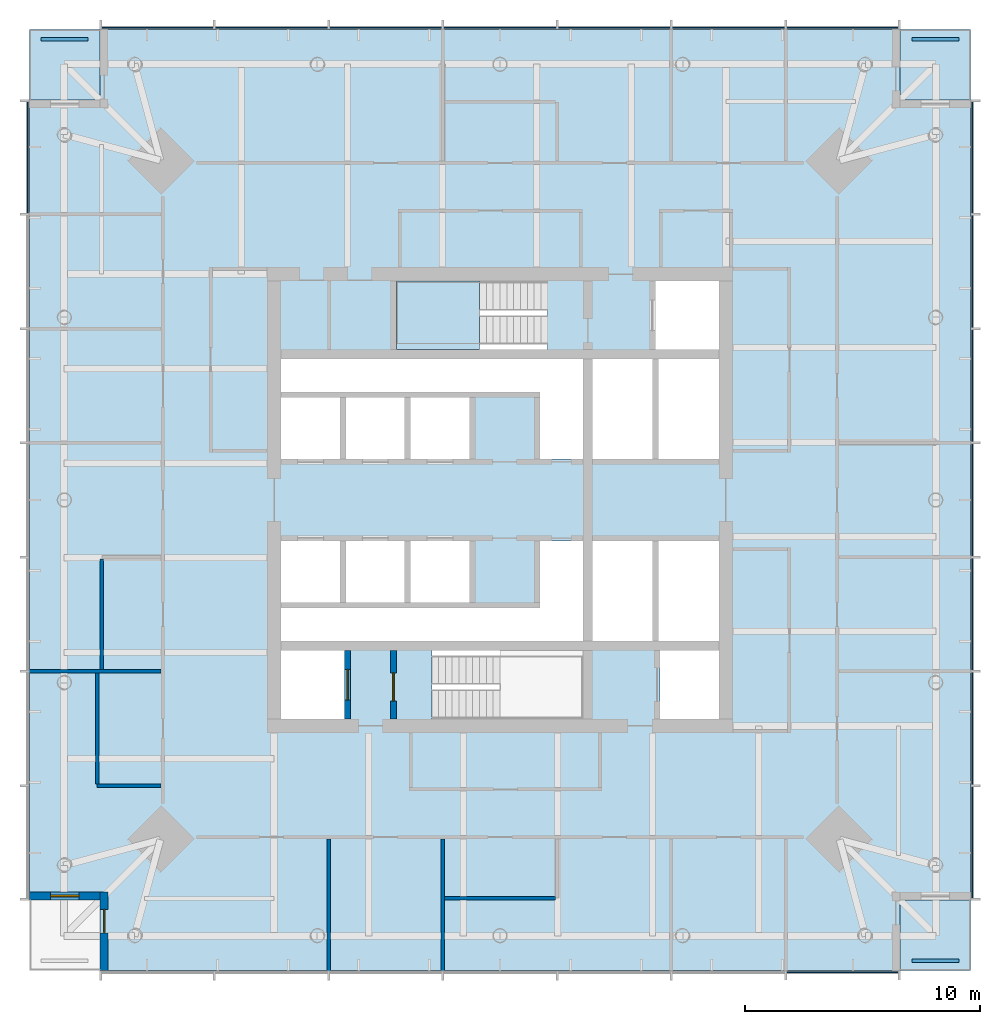
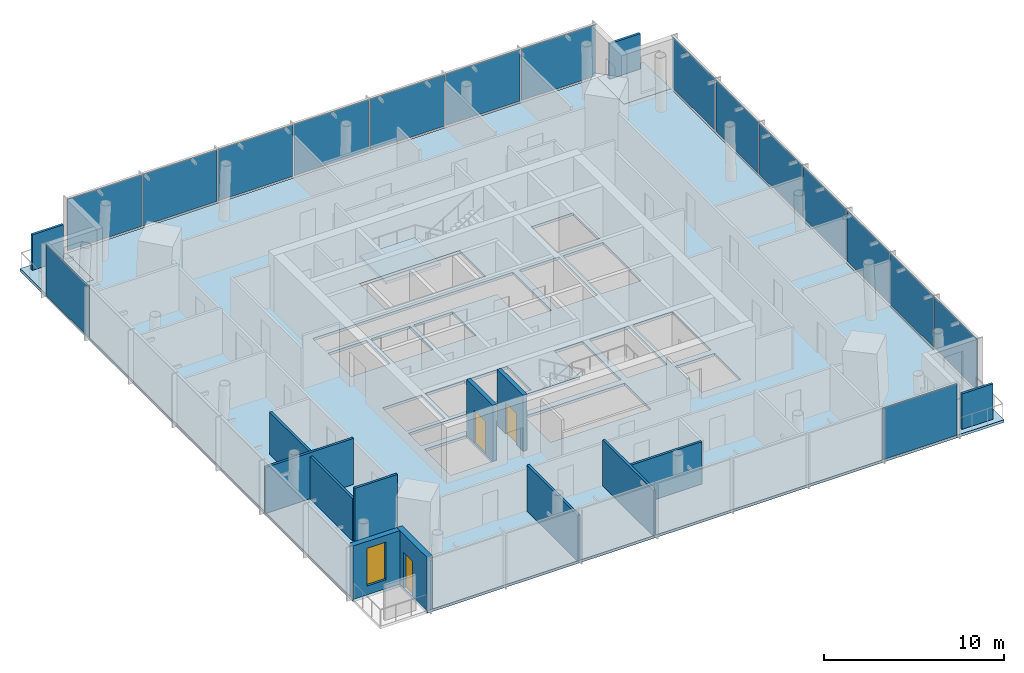
# One storey, part 4 of 9: 19 plates, 11 walls, 5 slabs, 3 doors, 1 window, 4 openings, 5 elements without a shape of their own.
"""IFC4 building model written with IfcOpenShell, lengths in metres."""

from ifc_helpers import new_model, si_unit, direction, frame, frame_2d, origin, origin_2d, place, context, subcontext, project, spatial, polyline, rectangle, outline, extrude, material, layer, layer_set, type_object, element, fill, aggregate, save


model = new_model("IFC4")

# Units and contexts
model_context = context("Model", 3, precision=1e-05, world=origin(), true_north=direction((0.0, 1.0)))
body_context = subcontext(model_context, "Body", "Model", "MODEL_VIEW")
ifc_project = project(units=[si_unit("LENGTHUNIT", "METRE"), si_unit("AREAUNIT", "SQUARE_METRE"), si_unit("VOLUMEUNIT", "CUBIC_METRE"), si_unit("PLANEANGLEUNIT", "RADIAN"), si_unit("MASSUNIT", "GRAM", prefix="KILO")], contexts=[model_context])

# Site, building, storey
site_placement = place(None, origin())
site = spatial("IfcSite", under=ifc_project, at=site_placement, CompositionType="ELEMENT")
building_placement = place(site_placement, origin())
building = spatial("IfcBuilding", under=site, at=building_placement, Name="Ostroluk Exchange", CompositionType="ELEMENT")
storey_placement = place(building_placement, frame((0.0, 0.0, 192.0)))
storey = spatial("IfcBuildingStorey", under=building, at=storey_placement, Name="L49", CompositionType="ELEMENT", Elevation=192.0)

# Slabs
ifc_material_1 = material(Name="Concrete C35/45", Category="concrete")
ifc_layer_1 = layer(ifc_material_1, 0.179931640625)
ifc_layer_set_1 = layer_set([ifc_layer_1], Name="Balcony slab 180")
slab_type_1 = type_object("IfcSlabType", Name="Balcony slab 180", PredefinedType="USERDEFINED", material=ifc_layer_set_1)
slab_1_placement = place(storey_placement, frame((0.0, 0.0, -0.179931640625)))
element("IfcSlab", 1, at=slab_1_placement, inside=storey, type_object=slab_type_1, Name="Office tower SE corner balcony L49", ObjectType="BALCONY", PredefinedType="USERDEFINED", context=body_context, shape_type="SweptSolid", body=[
    extrude(outline(polyline([(62.0, 26.0), (65.0, 26.0), (65.0, 29.0), (62.0, 29.0), (62.0, 26.0)])), origin(), (0.0, 0.0, 1.0), 0.179931640625),
])
slab_2_placement = place(storey_placement, frame((0.0, 0.0, -0.179931640625)))
element("IfcSlab", 2, at=slab_2_placement, inside=storey, type_object=slab_type_1, Name="Office tower NE corner balcony L49", ObjectType="BALCONY", PredefinedType="USERDEFINED", context=body_context, shape_type="SweptSolid", body=[
    extrude(outline(polyline([(62.0, 63.0), (65.0, 63.0), (65.0, 66.0), (62.0, 66.0), (62.0, 63.0)])), origin(), (0.0, 0.0, 1.0), 0.179931640625),
])
slab_3_placement = place(storey_placement, frame((0.0, 0.0, -0.179931640625)))
element("IfcSlab", 3, at=slab_3_placement, inside=storey, type_object=slab_type_1, Name="Office tower NW corner balcony L49", ObjectType="BALCONY", PredefinedType="USERDEFINED", context=body_context, shape_type="SweptSolid", body=[
    extrude(outline(polyline([(25.0, 63.0), (28.0, 63.0), (28.0, 66.0), (25.0, 66.0), (25.0, 63.0)])), origin(), (0.0, 0.0, 1.0), 0.179931640625),
])

# Plates
ifc_material_2 = material(Name="Steel S355 trellis with planting", Category="steel")
ifc_layer_2 = layer(ifc_material_2, 0.14990234375)
ifc_layer_set_2 = layer_set([ifc_layer_2], Name="Planted screen 150")
plate_type_1 = type_object("IfcPlateType", Name="Planted screen 150", PredefinedType="USERDEFINED", material=ifc_layer_set_2)
for number, where, z_axis, x_axis, name in (
    (4, (63.5, 26.425048828125, 0.0), (0.0, 0.0, 1.0), (1.0, 0.0, 0.0), "Office tower SE planted screen L49"),
    (5, (63.5, 65.574951171875, 0.0), (0.0, 0.0, 1.0), (1.0, 0.0, 0.0), "Office tower NE planted screen L49"),
    (6, (26.5, 65.574951171875, 0.0), (0.0, 0.0, 1.0), (1.0, 0.0, 0.0), "Office tower NW planted screen L49"),
):
    element("IfcPlate", number, at=place(storey_placement, frame(where, z_axis=z_axis, x_axis=x_axis)), inside=storey, type_object=plate_type_1, Name=name, ObjectType="PLANTED SCREEN", PredefinedType="USERDEFINED", context=body_context, shape_type="SweptSolid", body=[
        extrude(rectangle(XDim=2.0, YDim=0.14990234375, at=origin_2d()), origin(), (0.0, 0.0, 1.0), 2.39990234375),
    ])

# Stair, slab
ifc_material_3 = material(Name="Concrete C30/37", Category="concrete")
stair_type = type_object("IfcStairType", Name="Exit stair half turn 3800", PredefinedType="HALF_TURN_STAIR", material=ifc_material_3)
stair_placement = place(storey_placement, origin())
stair = element("IfcStair", 7, at=stair_placement, inside=storey, type_object=stair_type, Name="Stair T1-S2 L49", PredefinedType="HALF_TURN_STAIR")
ifc_material_4 = material(Name="Concrete C30/37", Category="concrete")
ifc_layer_3 = layer(ifc_material_4, 0.199951171875)
ifc_layer_set_3 = layer_set([ifc_layer_3], Name="Stair landing 200")
slab_type_2 = type_object("IfcSlabType", Name="Stair landing 200", PredefinedType="LANDING", material=ifc_layer_set_3)
slab_4_placement = place(storey_placement, frame((0.0, 0.0, 1.699951171875)))
slab_4 = element("IfcSlab", 8, at=slab_4_placement, type_object=slab_type_2, Name="T1-S2 landing 1", PredefinedType="LANDING", context=body_context, shape_type="SweptSolid", body=[
    extrude(outline(polyline([(44.1298828125, 52.39990234375), (44.1298828125, 55.300048828125), (40.60009765625, 55.300048828125), (40.60009765625, 52.39990234375), (44.1298828125, 52.39990234375)])), origin(), (0.0, 0.0, 1.0), 0.199951171875),
])
aggregate(stair, [slab_4])

# Slab
ifc_material_5 = material(Name="Concrete C35/45", Category="concrete")
ifc_layer_4 = layer(ifc_material_5, 0.179931640625)
ifc_layer_set_4 = layer_set([ifc_layer_4], Name="Tower floor slab 180 composite")
slab_type_3 = type_object("IfcSlabType", Name="Tower floor slab 180 composite", PredefinedType="FLOOR", material=ifc_layer_set_4)
slab_5_placement = place(storey_placement, frame((0.0, 0.0, -0.179931640625)))
element("IfcSlab", 9, at=slab_5_placement, inside=storey, type_object=slab_type_3, Name="Office tower floor slab L49", PredefinedType="FLOOR", context=body_context, shape_type="SweptSolid", body=[
    extrude(outline(polyline([(28.0, 26.0), (62.0, 26.0), (62.0, 29.0), (65.0, 29.0), (65.0, 63.0), (62.0, 63.0), (62.0, 66.0), (28.0, 66.0), (28.0, 63.0), (25.0, 63.0), (25.0, 29.0), (28.0, 29.0), (28.0, 26.0)]), holes=[polyline([(35.699951171875, 36.699951171875), (38.39990234375, 36.699951171875), (38.39990234375, 39.60009765625), (35.699951171875, 39.60009765625), (35.699951171875, 36.699951171875)]), polyline([(42.110107421875, 36.699951171875), (48.530029296875, 36.699951171875), (48.530029296875, 39.60009765625), (42.110107421875, 39.60009765625), (42.110107421875, 36.699951171875)]), polyline([(51.800048828125, 36.699951171875), (54.300048828125, 36.699951171875), (54.300048828125, 39.60009765625), (51.800048828125, 39.60009765625), (51.800048828125, 36.699951171875)]), polyline([(40.60009765625, 52.39990234375), (47.02001953125, 52.39990234375), (47.02001953125, 55.300048828125), (40.60009765625, 55.300048828125), (40.60009765625, 52.39990234375)]), polyline([(51.60009765625, 52.39990234375), (54.300048828125, 52.39990234375), (54.300048828125, 55.300048828125), (51.60009765625, 55.300048828125), (51.60009765625, 52.39990234375)]), polyline([(35.699951171875, 47.75), (38.199951171875, 47.75), (38.199951171875, 50.35009765625), (35.699951171875, 50.35009765625), (35.699951171875, 47.75)]), polyline([(38.449951171875, 47.75), (40.949951171875, 47.75), (40.949951171875, 50.35009765625), (38.449951171875, 50.35009765625), (38.449951171875, 47.75)]), polyline([(41.199951171875, 47.75), (43.699951171875, 47.75), (43.699951171875, 50.35009765625), (41.199951171875, 50.35009765625), (41.199951171875, 47.75)]), polyline([(35.699951171875, 41.64990234375), (38.199951171875, 41.64990234375), (38.199951171875, 44.25), (35.699951171875, 44.25), (35.699951171875, 41.64990234375)]), polyline([(38.449951171875, 41.64990234375), (40.949951171875, 41.64990234375), (40.949951171875, 44.25), (38.449951171875, 44.25), (38.449951171875, 41.64990234375)]), polyline([(41.199951171875, 41.64990234375), (43.699951171875, 41.64990234375), (43.699951171875, 44.25), (41.199951171875, 44.25), (41.199951171875, 41.64990234375)]), polyline([(48.929931640625, 47.75), (51.489990234375, 47.75), (51.489990234375, 52.0), (48.929931640625, 52.0), (48.929931640625, 47.75)]), polyline([(51.739990234375, 47.75), (54.300048828125, 47.75), (54.300048828125, 52.0), (51.739990234375, 52.0), (51.739990234375, 47.75)]), polyline([(48.929931640625, 40.0), (51.489990234375, 40.0), (51.489990234375, 44.25), (48.929931640625, 44.25), (48.929931640625, 40.0)]), polyline([(51.739990234375, 40.0), (54.300048828125, 40.0), (54.300048828125, 44.25), (51.739990234375, 44.25), (51.739990234375, 40.0)]), polyline([(48.530029296875, 52.0), (48.530029296875, 47.75), (46.699951171875, 47.75), (46.699951171875, 50.60009765625), (35.699951171875, 50.60009765625), (35.699951171875, 52.0), (48.530029296875, 52.0)]), polyline([(35.699951171875, 40.0), (35.699951171875, 41.39990234375), (46.699951171875, 41.39990234375), (46.699951171875, 44.25), (48.530029296875, 44.25), (48.530029296875, 40.0), (35.699951171875, 40.0)])]), origin(), (0.0, 0.0, 1.0), 0.179931640625),
])

# Curtain wall, plate
ifc_material_6 = material(Name="Laminated clear glass", Category="glass")
curtain_wall_type = type_object("IfcCurtainWallType", Name="Office tower facade", PredefinedType="USERDEFINED", material=ifc_material_6)
curtain_wall_1_placement = place(storey_placement, origin())
curtain_wall_1 = element("IfcCurtainWall", 10, at=curtain_wall_1_placement, inside=storey, type_object=curtain_wall_type, Name="Office tower south facade L49", ObjectType="UNITISED CURTAIN WALL", PredefinedType="USERDEFINED")
ifc_material_7 = material(Name="Laminated clear glass", Category="glass")
ifc_layer_5 = layer(ifc_material_7, 0.0439453125)
ifc_layer_set_5 = layer_set([ifc_layer_5], Name="Triple laminated clear glazing 44")
plate_type_2 = type_object("IfcPlateType", Name="Triple laminated clear glazing 44", PredefinedType="CURTAIN_PANEL", material=ifc_layer_set_5)
plate_1_placement = place(storey_placement, frame((59.551513671875, 25.925048828125, 0.080078125), z_axis=(0.0, 0.0, 1.0), x_axis=(1.0, 0.0, 0.0)))
plate_1 = element("IfcPlate", 11, at=plate_1_placement, type_object=plate_type_2, Name="CW-O1 panel 7.1", PredefinedType="CURTAIN_PANEL", context=body_context, shape_type="SweptSolid", body=[
    extrude(rectangle(XDim=4.737060546875, YDim=0.0439453125, at=origin_2d()), origin(), (0.0, 0.0, 1.0), 3.489990234375),
])
aggregate(curtain_wall_1, [plate_1])

# Curtain wall, plates
curtain_wall_2_placement = place(storey_placement, origin())
curtain_wall_2 = element("IfcCurtainWall", 12, at=curtain_wall_2_placement, inside=storey, type_object=curtain_wall_type, Name="Office tower east facade L49", ObjectType="UNITISED CURTAIN WALL", PredefinedType="USERDEFINED")
plate_2_placement = place(storey_placement, frame((65.074951171875, 31.448486328125, 0.080078125), z_axis=(0.0, 0.0, 1.0), x_axis=(0.0, 1.0, 0.0)))
plate_2 = element("IfcPlate", 13, at=plate_2_placement, type_object=plate_type_2, Name="CW-O1 panel 1.1", PredefinedType="CURTAIN_PANEL", context=body_context, shape_type="SweptSolid", body=[
    extrude(rectangle(XDim=4.737060546875, YDim=0.0439453125, at=origin_2d()), origin(), (0.0, 0.0, 1.0), 3.489990234375),
])
plate_3_placement = place(storey_placement, frame((65.074951171875, 36.28564453125, 0.080078125), z_axis=(0.0, 0.0, 1.0), x_axis=(0.0, 1.0, 0.0)))
plate_3 = element("IfcPlate", 14, at=plate_3_placement, type_object=plate_type_2, Name="CW-O1 panel 2.1", PredefinedType="CURTAIN_PANEL", context=body_context, shape_type="SweptSolid", body=[
    extrude(rectangle(XDim=4.777099609375, YDim=0.0439453125, at=origin_2d()), origin(), (0.0, 0.0, 1.0), 3.489990234375),
])
plate_4_placement = place(storey_placement, frame((65.074951171875, 41.142822265625, 0.080078125), z_axis=(0.0, 0.0, 1.0), x_axis=(0.0, 1.0, 0.0)))
plate_4 = element("IfcPlate", 15, at=plate_4_placement, type_object=plate_type_2, Name="CW-O1 panel 3.1", PredefinedType="CURTAIN_PANEL", context=body_context, shape_type="SweptSolid", body=[
    extrude(rectangle(XDim=4.777099609375, YDim=0.0439453125, at=origin_2d()), origin(), (0.0, 0.0, 1.0), 3.489990234375),
])
plate_5_placement = place(storey_placement, frame((65.074951171875, 46.0, 0.080078125), z_axis=(0.0, 0.0, 1.0), x_axis=(0.0, 1.0, 0.0)))
plate_5 = element("IfcPlate", 16, at=plate_5_placement, type_object=plate_type_2, Name="CW-O1 panel 4.1", PredefinedType="CURTAIN_PANEL", context=body_context, shape_type="SweptSolid", body=[
    extrude(rectangle(XDim=4.777099609375, YDim=0.0439453125, at=origin_2d()), origin(), (0.0, 0.0, 1.0), 3.489990234375),
])
plate_6_placement = place(storey_placement, frame((65.074951171875, 50.857177734375, 0.080078125), z_axis=(0.0, 0.0, 1.0), x_axis=(0.0, 1.0, 0.0)))
plate_6 = element("IfcPlate", 17, at=plate_6_placement, type_object=plate_type_2, Name="CW-O1 panel 5.1", PredefinedType="CURTAIN_PANEL", context=body_context, shape_type="SweptSolid", body=[
    extrude(rectangle(XDim=4.777099609375, YDim=0.0439453125, at=origin_2d()), origin(), (0.0, 0.0, 1.0), 3.489990234375),
])
plate_7_placement = place(storey_placement, frame((65.074951171875, 55.71435546875, 0.080078125), z_axis=(0.0, 0.0, 1.0), x_axis=(0.0, 1.0, 0.0)))
plate_7 = element("IfcPlate", 18, at=plate_7_placement, type_object=plate_type_2, Name="CW-O1 panel 6.1", PredefinedType="CURTAIN_PANEL", context=body_context, shape_type="SweptSolid", body=[
    extrude(rectangle(XDim=4.777099609375, YDim=0.0439453125, at=origin_2d()), origin(), (0.0, 0.0, 1.0), 3.489990234375),
])
plate_8_placement = place(storey_placement, frame((65.074951171875, 60.551513671875, 0.080078125), z_axis=(0.0, 0.0, 1.0), x_axis=(0.0, 1.0, 0.0)))
plate_8 = element("IfcPlate", 19, at=plate_8_placement, type_object=plate_type_2, Name="CW-O1 panel 7.1", PredefinedType="CURTAIN_PANEL", context=body_context, shape_type="SweptSolid", body=[
    extrude(rectangle(XDim=4.737060546875, YDim=0.0439453125, at=origin_2d()), origin(), (0.0, 0.0, 1.0), 3.489990234375),
])
aggregate(curtain_wall_2, [plate_2, plate_3, plate_4, plate_5, plate_6, plate_7, plate_8])

curtain_wall_3_placement = place(storey_placement, origin())
curtain_wall_3 = element("IfcCurtainWall", 20, at=curtain_wall_3_placement, inside=storey, type_object=curtain_wall_type, Name="Office tower north facade L49", ObjectType="UNITISED CURTAIN WALL", PredefinedType="USERDEFINED")
plate_9_placement = place(storey_placement, frame((59.551513671875, 66.074951171875, 0.080078125), z_axis=(0.0, 0.0, 1.0), x_axis=(-1.0, 0.0, 0.0)))
plate_9 = element("IfcPlate", 21, at=plate_9_placement, type_object=plate_type_2, Name="CW-O1 panel 1.1", PredefinedType="CURTAIN_PANEL", context=body_context, shape_type="SweptSolid", body=[
    extrude(rectangle(XDim=4.737060546875, YDim=0.0439453125, at=origin_2d()), origin(), (0.0, 0.0, 1.0), 3.489990234375),
])
plate_10_placement = place(storey_placement, frame((54.71435546875, 66.074951171875, 0.080078125), z_axis=(0.0, 0.0, 1.0), x_axis=(-1.0, 0.0, 0.0)))
plate_10 = element("IfcPlate", 22, at=plate_10_placement, type_object=plate_type_2, Name="CW-O1 panel 2.1", PredefinedType="CURTAIN_PANEL", context=body_context, shape_type="SweptSolid", body=[
    extrude(rectangle(XDim=4.777099609375, YDim=0.0439453125, at=origin_2d()), origin(), (0.0, 0.0, 1.0), 3.489990234375),
])
plate_11_placement = place(storey_placement, frame((49.857177734375, 66.074951171875, 0.080078125), z_axis=(0.0, 0.0, 1.0), x_axis=(-1.0, 0.0, 0.0)))
plate_11 = element("IfcPlate", 23, at=plate_11_placement, type_object=plate_type_2, Name="CW-O1 panel 3.1", PredefinedType="CURTAIN_PANEL", context=body_context, shape_type="SweptSolid", body=[
    extrude(rectangle(XDim=4.777099609375, YDim=0.0439453125, at=origin_2d()), origin(), (0.0, 0.0, 1.0), 3.489990234375),
])
plate_12_placement = place(storey_placement, frame((45.0, 66.074951171875, 0.080078125), z_axis=(0.0, 0.0, 1.0), x_axis=(-1.0, 0.0, 0.0)))
plate_12 = element("IfcPlate", 24, at=plate_12_placement, type_object=plate_type_2, Name="CW-O1 panel 4.1", PredefinedType="CURTAIN_PANEL", context=body_context, shape_type="SweptSolid", body=[
    extrude(rectangle(XDim=4.777099609375, YDim=0.0439453125, at=origin_2d()), origin(), (0.0, 0.0, 1.0), 3.489990234375),
])
plate_13_placement = place(storey_placement, frame((40.142822265625, 66.074951171875, 0.080078125), z_axis=(0.0, 0.0, 1.0), x_axis=(-1.0, 0.0, 0.0)))
plate_13 = element("IfcPlate", 25, at=plate_13_placement, type_object=plate_type_2, Name="CW-O1 panel 5.1", PredefinedType="CURTAIN_PANEL", context=body_context, shape_type="SweptSolid", body=[
    extrude(rectangle(XDim=4.777099609375, YDim=0.0439453125, at=origin_2d()), origin(), (0.0, 0.0, 1.0), 3.489990234375),
])
plate_14_placement = place(storey_placement, frame((35.28564453125, 66.074951171875, 0.080078125), z_axis=(0.0, 0.0, 1.0), x_axis=(-1.0, 0.0, 0.0)))
plate_14 = element("IfcPlate", 26, at=plate_14_placement, type_object=plate_type_2, Name="CW-O1 panel 6.1", PredefinedType="CURTAIN_PANEL", context=body_context, shape_type="SweptSolid", body=[
    extrude(rectangle(XDim=4.777099609375, YDim=0.0439453125, at=origin_2d()), origin(), (0.0, 0.0, 1.0), 3.489990234375),
])
plate_15_placement = place(storey_placement, frame((30.448486328125, 66.074951171875, 0.080078125), z_axis=(0.0, 0.0, 1.0), x_axis=(-1.0, 0.0, 0.0)))
plate_15 = element("IfcPlate", 27, at=plate_15_placement, type_object=plate_type_2, Name="CW-O1 panel 7.1", PredefinedType="CURTAIN_PANEL", context=body_context, shape_type="SweptSolid", body=[
    extrude(rectangle(XDim=4.737060546875, YDim=0.0439453125, at=origin_2d()), origin(), (0.0, 0.0, 1.0), 3.489990234375),
])
aggregate(curtain_wall_3, [plate_9, plate_10, plate_11, plate_12, plate_13, plate_14, plate_15])

# Curtain wall, plate
curtain_wall_4_placement = place(storey_placement, origin())
curtain_wall_4 = element("IfcCurtainWall", 28, at=curtain_wall_4_placement, inside=storey, type_object=curtain_wall_type, Name="Office tower west facade L49", ObjectType="UNITISED CURTAIN WALL", PredefinedType="USERDEFINED")
plate_16_placement = place(storey_placement, frame((24.925048828125, 60.551513671875, 0.080078125), z_axis=(0.0, 0.0, 1.0), x_axis=(0.0, -1.0, 0.0)))
plate_16 = element("IfcPlate", 29, at=plate_16_placement, type_object=plate_type_2, Name="CW-O1 panel 1.1", PredefinedType="CURTAIN_PANEL", context=body_context, shape_type="SweptSolid", body=[
    extrude(rectangle(XDim=4.737060546875, YDim=0.0439453125, at=origin_2d()), origin(), (0.0, 0.0, 1.0), 3.489990234375),
])
aggregate(curtain_wall_4, [plate_16])

# Wall, opening, door
ifc_material_8 = material(Name="Concrete C40/50", Category="concrete")
ifc_layer_6 = layer(ifc_material_8, 0.25)
ifc_layer_set_6 = layer_set([ifc_layer_6], Name="Core shaft wall 250")
wall_type_1 = type_object("IfcWallType", Name="Core shaft wall 250", PredefinedType="SHEAR", material=ifc_layer_set_6)
wall_1_placement = place(storey_placement, frame((38.52490234375, 36.699951171875, 0.0), z_axis=(0.0, 0.0, 1.0), x_axis=(0.0, 1.0, 0.0)))
wall_1 = element("IfcWall", 30, at=wall_1_placement, inside=storey, type_object=wall_type_1, Name="Firefighting lift shaft wall", PredefinedType="SHEAR", context=body_context, shape_type="SweptSolid", body=[
    extrude(rectangle(XDim=2.900146484375, YDim=0.25, at=frame_2d((1.4501953125, 0.0))), origin(), (0.0, 0.0, 1.0), 3.800048828125),
])
opening_1_placement = place(wall_1_placement, frame((0.800048828125, 0.0, 0.0)))
opening_1 = element("IfcOpeningElement", 31, at=opening_1_placement, cuts=wall_1, Name="Opening LD2", PredefinedType="OPENING", context=body_context, shape_type="SweptSolid", body=[
    extrude(rectangle(XDim=1.300048828125, YDim=2.199951171875, at=frame_2d((0.64990234375, 1.10009765625))), frame((0.0, 0.135009765625, 0.0), z_axis=(0.0, -1.0, 0.0), x_axis=(1.0, 0.0, 0.0)), (0.0, 0.0, 1.0), 0.27001953125),
])
ifc_material_9 = material(Name="Stainless steel", Category="steel")
door_type_1 = type_object("IfcDoorType", Name="Lift landing door E 60 1300 x 2200", OperationType="DOUBLE_DOOR_SLIDING", PredefinedType="DOOR", material=ifc_material_9)
door_1_placement = place(opening_1_placement, origin())
door_1 = element("IfcDoor", 32, at=door_1_placement, inside=storey, type_object=door_type_1, Name="Lift FL1 landing door", OperationType="DOUBLE_DOOR_SLIDING", OverallHeight=2.199951171875, OverallWidth=1.300048828125, PredefinedType="DOOR", context=body_context, shape_type="SweptSolid", body=[
    extrude(rectangle(XDim=1.300048828125, YDim=2.199951171875, at=frame_2d((0.64990234375, 1.10009765625))), frame((0.0, 0.02490234375, 0.0), z_axis=(0.0, -1.0, 0.0), x_axis=(1.0, 0.0, 0.0)), (0.0, 0.0, 1.0), 0.050048828125),
])
fill(opening_1, door_1)

wall_2_placement = place(storey_placement, frame((40.47509765625, 36.699951171875, 0.0), z_axis=(0.0, 0.0, 1.0), x_axis=(0.0, 1.0, 0.0)))
wall_2 = element("IfcWall", 33, at=wall_2_placement, inside=storey, type_object=wall_type_1, Name="Stair shaft wall", PredefinedType="SHEAR", context=body_context, shape_type="SweptSolid", body=[
    extrude(rectangle(XDim=2.900146484375, YDim=0.25, at=frame_2d((1.4501953125, 0.0))), origin(), (0.0, 0.0, 1.0), 3.800048828125),
])
opening_2_placement = place(wall_2_placement, frame((0.75, 0.0, 0.0)))
opening_2 = element("IfcOpeningElement", 34, at=opening_2_placement, cuts=wall_2, Name="Opening FD60S", PredefinedType="OPENING", context=body_context, shape_type="SweptSolid", body=[
    extrude(rectangle(XDim=1.199951171875, YDim=2.10009765625, at=frame_2d((0.60009765625, 1.050048828125))), frame((0.0, 0.135009765625, 0.0), z_axis=(0.0, -1.0, 0.0), x_axis=(1.0, 0.0, 0.0)), (0.0, 0.0, 1.0), 0.27001953125),
])
ifc_material_10 = material(Name="Steel", Category="steel")
door_type_2 = type_object("IfcDoorType", Name="Stair door EI 60 1200 x 2100", OperationType="SINGLE_SWING_LEFT", PredefinedType="DOOR", material=ifc_material_10)
door_2_placement = place(opening_2_placement, origin())
door_2 = element("IfcDoor", 35, at=door_2_placement, inside=storey, type_object=door_type_2, Name="Stair T1-S1 door", OperationType="SINGLE_SWING_LEFT", OverallHeight=2.10009765625, OverallWidth=1.199951171875, PredefinedType="DOOR", context=body_context, shape_type="SweptSolid", body=[
    extrude(rectangle(XDim=1.199951171875, YDim=2.10009765625, at=frame_2d((0.60009765625, 1.050048828125))), frame((0.0, 0.02490234375, 0.0), z_axis=(0.0, -1.0, 0.0), x_axis=(1.0, 0.0, 0.0)), (0.0, 0.0, 1.0), 0.050048828125),
])
fill(opening_2, door_2)

ifc_material_11 = material(Name="Limestone", Category="masonry")
ifc_layer_7 = layer(ifc_material_11, 0.35009765625)
ifc_layer_set_7 = layer_set([ifc_layer_7], Name="Limestone facade wall 350")
wall_type_2 = type_object("IfcWallType", Name="Limestone facade wall 350", PredefinedType="SOLIDWALL", material=ifc_layer_set_7)
wall_3_placement = place(storey_placement, frame((28.175048828125, 26.0, 0.0), z_axis=(0.0, 0.0, 1.0), x_axis=(0.0, 1.0, 0.0)))
wall_3 = element("IfcWall", 36, at=wall_3_placement, inside=storey, type_object=wall_type_2, Name="Office tower SW corner wall L49 a", PredefinedType="SOLIDWALL", context=body_context, shape_type="SweptSolid", body=[
    extrude(rectangle(XDim=3.35009765625, YDim=0.35009765625, at=frame_2d((1.675048828125, 0.0))), origin(), (0.0, 0.0, 1.0), 3.6201171875),
])
opening_3_placement = place(wall_3_placement, frame((1.60009765625, 0.0, 0.0)))
opening_3 = element("IfcOpeningElement", 37, at=opening_3_placement, cuts=wall_3, Name="Opening D-B1", PredefinedType="OPENING", context=body_context, shape_type="SweptSolid", body=[
    extrude(rectangle(XDim=1.0, YDim=2.39990234375, at=frame_2d((0.5, 1.199951171875))), frame((0.0, 0.18505859375, 0.0), z_axis=(0.0, -1.0, 0.0), x_axis=(1.0, 0.0, 0.0)), (0.0, 0.0, 1.0), 0.3701171875),
])
ifc_material_12 = material(Name="Bronze framed glazed door", Category="aluminium")
door_type_3 = type_object("IfcDoorType", Name="Balcony door 1000 x 2400", OperationType="SINGLE_SWING_LEFT", PredefinedType="DOOR", material=ifc_material_12)
door_3_placement = place(opening_3_placement, origin())
door_3 = element("IfcDoor", 38, at=door_3_placement, inside=storey, type_object=door_type_3, Name="Office tower SW balcony door L49", OperationType="SINGLE_SWING_RIGHT", OverallHeight=2.39990234375, OverallWidth=1.0, PredefinedType="DOOR", context=body_context, shape_type="SweptSolid", body=[
    extrude(rectangle(XDim=1.0, YDim=2.39990234375, at=frame_2d((0.5, 1.199951171875))), frame((0.0, 0.02490234375, 0.0), z_axis=(0.0, -1.0, 0.0), x_axis=(1.0, 0.0, 0.0)), (0.0, 0.0, 1.0), 0.050048828125),
])
fill(opening_3, door_3)

# Wall, opening, window
wall_4_placement = place(storey_placement, frame((28.0, 29.175048828125, 0.0), z_axis=(0.0, 0.0, 1.0), x_axis=(-1.0, 0.0, 0.0)))
wall_4 = element("IfcWall", 39, at=wall_4_placement, inside=storey, type_object=wall_type_2, Name="Office tower SW corner wall L49 b", PredefinedType="SOLIDWALL", context=body_context, shape_type="SweptSolid", body=[
    extrude(rectangle(XDim=3.0, YDim=0.35009765625, at=frame_2d((1.5, 0.0))), origin(), (0.0, 0.0, 1.0), 3.6201171875),
])
opening_4_placement = place(wall_4_placement, frame((0.89990234375, 0.0, 0.60009765625)))
opening_4 = element("IfcOpeningElement", 40, at=opening_4_placement, cuts=wall_4, Name="Opening WN-L1", PredefinedType="OPENING", context=body_context, shape_type="SweptSolid", body=[
    extrude(rectangle(XDim=1.199951171875, YDim=2.550048828125, at=frame_2d((0.60009765625, 1.27490234375))), frame((0.0, 0.18505859375, 0.0), z_axis=(0.0, -1.0, 0.0), x_axis=(1.0, 0.0, 0.0)), (0.0, 0.0, 1.0), 0.3701171875),
])
ifc_material_13 = material(Name="Laminated clear glass", Category="glass")
window_type = type_object("IfcWindowType", Name="Lancet window 1200 x 2550", PartitioningType="SINGLE_PANEL", PredefinedType="WINDOW", material=ifc_material_13)
window_placement = place(opening_4_placement, origin())
window = element("IfcWindow", 41, at=window_placement, inside=storey, type_object=window_type, Name="Office tower SW lancet window L49", OverallHeight=2.550048828125, OverallWidth=1.199951171875, PartitioningType="SINGLE_PANEL", PredefinedType="WINDOW", context=body_context, shape_type="SweptSolid", body=[
    extrude(rectangle(XDim=1.199951171875, YDim=2.550048828125, at=frame_2d((0.60009765625, 1.27490234375))), frame((0.0, 0.030029296875, 0.0), z_axis=(0.0, -1.0, 0.0), x_axis=(1.0, 0.0, 0.0)), (0.0, 0.0, 1.0), 0.06005859375),
])
fill(opening_4, window)

# Walls
ifc_material_14 = material(Name="Gypsum plasterboard partition", Category="gypsum")
ifc_layer_8 = layer(ifc_material_14, 0.14990234375)
ifc_layer_set_8 = layer_set([ifc_layer_8], Name="Plasterboard partition 150")
wall_type_3 = type_object("IfcWallType", Name="Plasterboard partition 150", PredefinedType="PARTITIONING", material=ifc_layer_set_8)
wall_5_placement = place(storey_placement, frame((30.60009765625, 38.71435546875, 0.0), z_axis=(0.0, 0.0, 1.0), x_axis=(-1.0, 0.0, 0.0)))
element("IfcWall", 42, at=wall_5_placement, inside=storey, type_object=wall_type_3, Name="Partition", PredefinedType="PARTITIONING", context=body_context, shape_type="SweptSolid", body=[
    extrude(rectangle(XDim=5.64013671875, YDim=0.14990234375, at=frame_2d((2.820068359375, 0.0))), origin(), (0.0, 0.0, 1.0), 3.1201171875),
])
wall_6_placement = place(storey_placement, frame((30.60009765625, 33.857177734375, 0.0), z_axis=(0.0, 0.0, 1.0), x_axis=(-1.0, 0.0, 0.0)))
element("IfcWall", 43, at=wall_6_placement, inside=storey, type_object=wall_type_3, Name="Partition", PredefinedType="PARTITIONING", context=body_context, shape_type="SweptSolid", body=[
    extrude(rectangle(XDim=2.72509765625, YDim=0.14990234375, at=frame_2d((1.362548828125, 0.0))), origin(), (0.0, 0.0, 1.0), 3.6201171875),
])
wall_7_placement = place(storey_placement, frame((42.646484375, 29.074951171875, 0.0), z_axis=(0.0, 0.0, 1.0), x_axis=(1.0, 0.0, 0.0)))
element("IfcWall", 44, at=wall_7_placement, inside=storey, type_object=wall_type_3, Name="Partition", PredefinedType="PARTITIONING", context=body_context, shape_type="SweptSolid", body=[
    extrude(rectangle(XDim=4.70703125, YDim=0.14990234375, at=frame_2d((2.353515625, 0.0))), origin(), (0.0, 0.0, 1.0), 2.866943359375),
])
for number, where, z_axis, x_axis, name in (
    (45, (37.71435546875, 31.60009765625, 0.0), (0.0, 0.0, 1.0), (0.0, -1.0, 0.0), "Partition"),
    (46, (42.571533203125, 31.60009765625, 0.0), (0.0, 0.0, 1.0), (0.0, -1.0, 0.0), "Partition"),
):
    element("IfcWall", number, at=place(storey_placement, frame(where, z_axis=z_axis, x_axis=x_axis)), inside=storey, type_object=wall_type_3, Name=name, PredefinedType="PARTITIONING", context=body_context, shape_type="SweptSolid", body=[
        extrude(rectangle(XDim=5.64013671875, YDim=0.14990234375, at=frame_2d((2.820068359375, 0.0))), origin(), (0.0, 0.0, 1.0), 3.1201171875),
    ])
ifc_material_15 = material(Name="Gypsum plasterboard partition, moisture resistant", Category="gypsum")
ifc_layer_9 = layer(ifc_material_15, 0.14990234375)
ifc_layer_set_9 = layer_set([ifc_layer_9], Name="Plasterboard toilet partition 150")
wall_type_4 = type_object("IfcWallType", Name="Plasterboard toilet partition 150", PredefinedType="PARTITIONING", material=ifc_layer_set_9)
wall_8_placement = place(storey_placement, frame((28.074951171875, 43.496337890625, 0.0), z_axis=(0.0, 0.0, 1.0), x_axis=(0.0, -1.0, 0.0)))
element("IfcWall", 47, at=wall_8_placement, inside=storey, type_object=wall_type_4, Name="Toilet partition", PredefinedType="PARTITIONING", context=body_context, shape_type="SweptSolid", body=[
    extrude(rectangle(XDim=4.70703125, YDim=0.14990234375, at=frame_2d((2.353515625, 0.0))), origin(), (0.0, 0.0, 1.0), 2.866943359375),
])
wall_9_placement = place(storey_placement, frame((27.875, 38.639404296875, 0.0), z_axis=(0.0, 0.0, 1.0), x_axis=(0.0, -1.0, 0.0)))
element("IfcWall", 48, at=wall_9_placement, inside=storey, type_object=wall_type_4, Name="Toilet partition", PredefinedType="PARTITIONING", context=body_context, shape_type="SweptSolid", body=[
    extrude(rectangle(XDim=4.707275390625, YDim=0.14990234375, at=frame_2d((2.353515625, 0.0))), origin(), (0.0, 0.0, 1.0), 2.866943359375),
])

save(model, "model.ifc")
